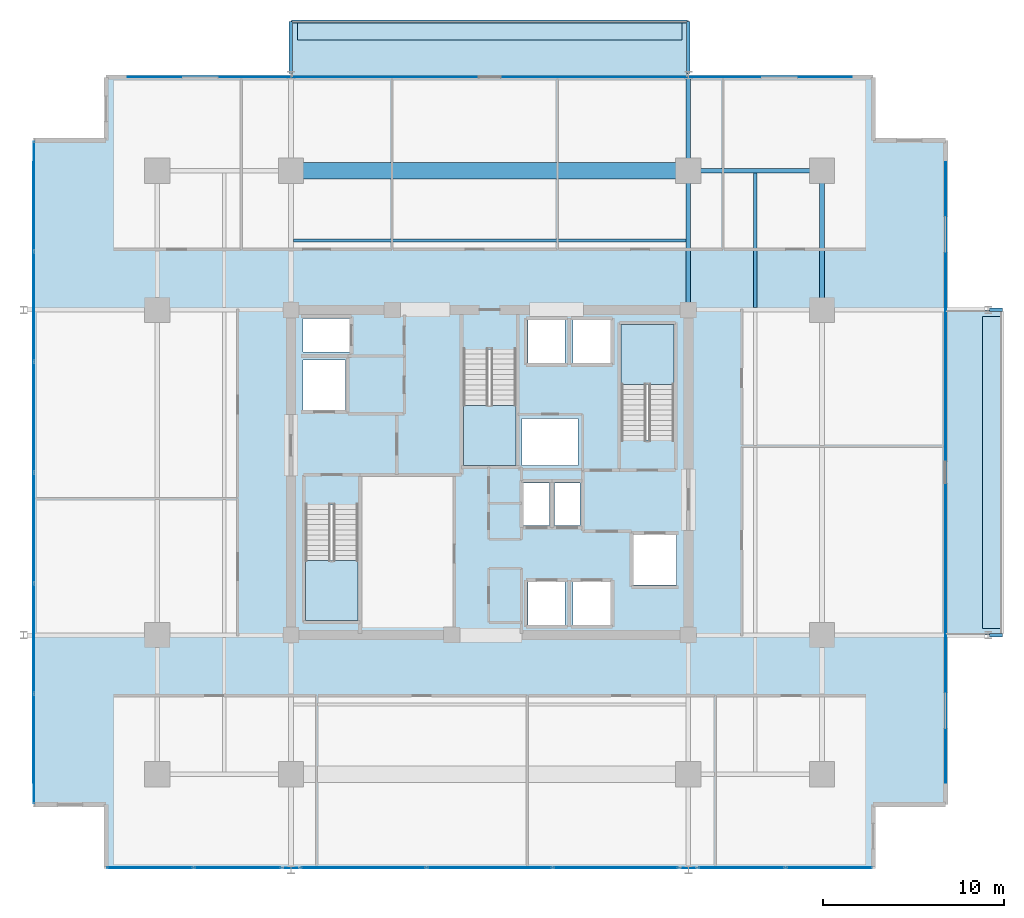
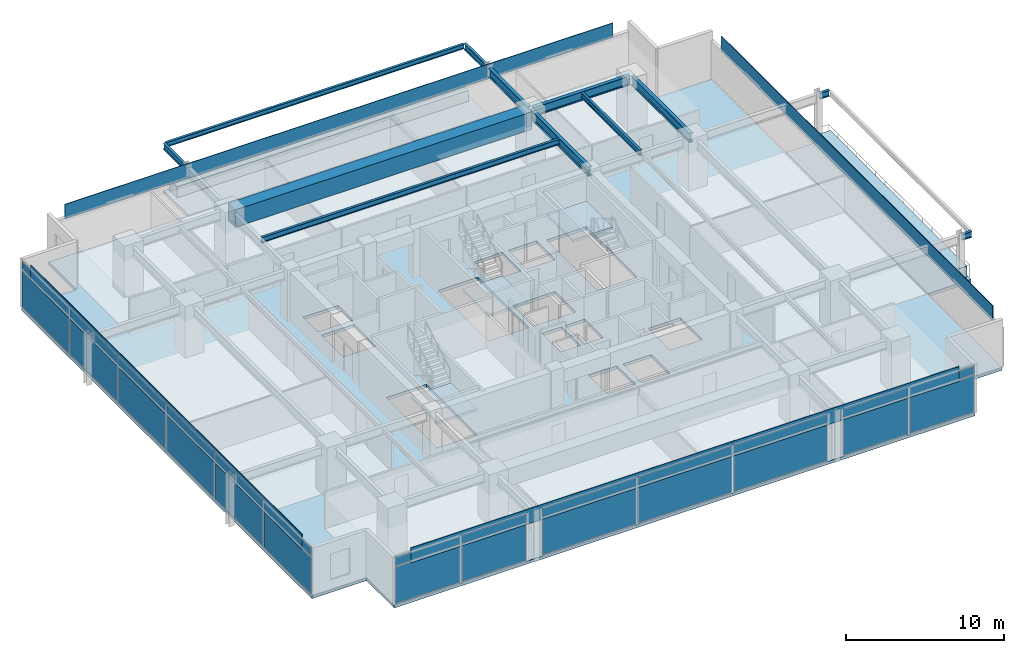
# One storey, part 12 of 20: 30 plates, 12 beams, 8 slabs, 7 elements without a shape of their own.
"""IFC4 building model written with IfcOpenShell, lengths in metres."""

from ifc_helpers import new_model, si_unit, direction, frame, origin, origin_2d, place, context, subcontext, project, spatial, polyline, rectangle, i_section, outline, extrude, material, layer, layer_set, material_profile, profile_set, type_object, element, aggregate, save


model = new_model("IFC4")

# Units and contexts
model_context = context("Model", 3, precision=1e-05, world=origin(), true_north=direction((0.0, 1.0)))
body_context = subcontext(model_context, "Body", "Model", "MODEL_VIEW")
ifc_project = project(units=[si_unit("LENGTHUNIT", "METRE"), si_unit("AREAUNIT", "SQUARE_METRE"), si_unit("VOLUMEUNIT", "CUBIC_METRE"), si_unit("PLANEANGLEUNIT", "RADIAN"), si_unit("MASSUNIT", "GRAM", prefix="KILO")], contexts=[model_context])

# Site, building, storey
site_placement = place(None, origin())
site = spatial("IfcSite", under=ifc_project, at=site_placement, CompositionType="ELEMENT")
building_placement = place(site_placement, origin())
building = spatial("IfcBuilding", under=site, at=building_placement, Name="Kovane Verandah Tower", CompositionType="ELEMENT")
storey_placement = place(building_placement, frame((0.0, 0.0, 213.199951171875)))
storey = spatial("IfcBuildingStorey", under=building, at=storey_placement, Name="L49", CompositionType="ELEMENT", Elevation=213.199951171875)

# Beams
ifc_material_1 = material(Name="Concrete C80/95", Category="concrete")
ifc_material_profile_1 = material_profile(ifc_material_1, rectangle(XDim=0.89990234375, YDim=1.35009765625, at=origin_2d()), Name="RCB900x1350")
ifc_profile_set_1 = profile_set([ifc_material_profile_1], Name="Concrete C80/95")
beam_type_1 = type_object("IfcBeamType", Name="BM-TR-900x1350", PredefinedType="BEAM", material=ifc_profile_set_1)
beam_1_placement = place(storey_placement, frame((29.179931640625, 44.199951171875, 3.10009765625), z_axis=(1.0, 0.0, 0.0), x_axis=(0.0, 1.0, 0.0)))
element("IfcBeam", 1, at=beam_1_placement, inside=storey, type_object=beam_type_1, Name="L49 Primary Tower Girder G-RN2", PredefinedType="BEAM", context=body_context, shape_type="SweptSolid", body=[
    extrude(rectangle(XDim=0.89990234375, YDim=1.35009765625, at=origin_2d()), origin(), (0.0, 0.0, 1.0), 21.64013671875),
])
ifc_material_2 = material(Name="Steel S355", Category="steel")
ifc_material_profile_2 = material_profile(ifc_material_2, i_section(OverallWidth=0.255859375, OverallDepth=0.69287109375, WebThickness=0.014404296875, FlangeThickness=0.023681640625, FilletRadius=0.01513671875, at=origin_2d()), Name="UB686x254x170")
ifc_profile_set_2 = profile_set([ifc_material_profile_2], Name="Steel S355")
beam_type_2 = type_object("IfcBeamType", Name="BM-UB686x170", PredefinedType="BEAM", material=ifc_profile_set_2)
beam_2_placement = place(storey_placement, frame((51.179931640625, 44.199951171875, 3.428466796875), z_axis=(1.0, 0.0, 0.0), x_axis=(0.0, 1.0, 0.0)))
element("IfcBeam", 2, at=beam_2_placement, inside=storey, type_object=beam_type_2, Name="L49 Primary Tower Girder G-RN3", PredefinedType="BEAM", context=body_context, shape_type="SweptSolid", body=[
    extrude(i_section(OverallWidth=0.255859375, OverallDepth=0.69287109375, WebThickness=0.014404296875, FlangeThickness=0.023681640625, FilletRadius=0.01513671875, at=origin_2d()), origin(), (0.0, 0.0, 1.0), 7.0400390625),
])
for number, where, z_axis, x_axis, name in (
    (3, (58.39990234375, 36.679931640625, 3.428466796875), (0.0, 1.0, 0.0), (-1.0, 0.0, 0.0), "L49 Primary Tower Girder G-RE3"),
    (4, (51.0, 36.679931640625, 3.428466796875), (0.0, 1.0, 0.0), (-1.0, 0.0, 0.0), "L49 Primary Tower Girder G-N2"),
):
    element("IfcBeam", number, at=place(storey_placement, frame(where, z_axis=z_axis, x_axis=x_axis)), inside=storey, type_object=beam_type_2, Name=name, PredefinedType="BEAM", context=body_context, shape_type="SweptSolid", body=[
        extrude(i_section(OverallWidth=0.255859375, OverallDepth=0.69287109375, WebThickness=0.014404296875, FlangeThickness=0.023681640625, FilletRadius=0.01513671875, at=origin_2d()), origin(), (0.0, 0.0, 1.0), 7.340087890625),
    ])
beam_3_placement = place(storey_placement, frame((51.0, 44.3798828125, 3.41357421875), z_axis=(0.0, 1.0, 0.0), x_axis=(-1.0, 0.0, 0.0)))
element("IfcBeam", 5, at=beam_3_placement, inside=storey, type_object=beam_type_2, Name="L49 Primary Tower Girder G-VN2", PredefinedType="BEAM", context=body_context, shape_type="SweptSolid", body=[
    extrude(i_section(OverallWidth=0.255859375, OverallDepth=0.69287109375, WebThickness=0.014404296875, FlangeThickness=0.023681640625, FilletRadius=0.01513671875, at=origin_2d()), origin(), (0.0, 0.0, 1.0), 4.940185546875),
])
ifc_material_profile_3 = material_profile(ifc_material_2, i_section(OverallWidth=0.179443359375, OverallDepth=0.412841796875, WebThickness=0.009521484375, FlangeThickness=0.01611328125, FilletRadius=0.01025390625, at=origin_2d()), Name="UB406x178x74")
ifc_profile_set_3 = profile_set([ifc_material_profile_3], Name="Steel S355")
beam_type_3 = type_object("IfcBeamType", Name="JST-UB406x74", PredefinedType="JOIST", material=ifc_profile_set_3)
beam_4_placement = place(storey_placement, frame((29.1259765625, 40.35009765625, 3.568603515625), z_axis=(1.0, 0.0, 0.0), x_axis=(0.0, 1.0, 0.0)))
element("IfcBeam", 6, at=beam_4_placement, inside=storey, type_object=beam_type_3, Name="L49 Secondary Composite Joist J-N1", PredefinedType="JOIST", context=body_context, shape_type="SweptSolid", body=[
    extrude(i_section(OverallWidth=0.179443359375, OverallDepth=0.412841796875, WebThickness=0.009521484375, FlangeThickness=0.01611328125, FilletRadius=0.01025390625, at=origin_2d()), origin(), (0.0, 0.0, 1.0), 21.748046875),
])
beam_5_placement = place(storey_placement, frame((54.699951171875, 36.6259765625, 3.568603515625), z_axis=(0.0, 1.0, 0.0), x_axis=(-1.0, 0.0, 0.0)))
element("IfcBeam", 7, at=beam_5_placement, inside=storey, type_object=beam_type_3, Name="L49 Secondary Composite Joist J-NE1", PredefinedType="JOIST", context=body_context, shape_type="SweptSolid", body=[
    extrude(i_section(OverallWidth=0.179443359375, OverallDepth=0.412841796875, WebThickness=0.009521484375, FlangeThickness=0.01611328125, FilletRadius=0.01025390625, at=origin_2d()), origin(), (0.0, 0.0, 1.0), 7.4482421875),
])
ifc_material_profile_4 = material_profile(ifc_material_2, i_section(OverallWidth=0.19287109375, OverallDepth=0.46728515625, WebThickness=0.011474609375, FlangeThickness=0.01953125, FilletRadius=0.01025390625, at=origin_2d()), Name="UB457x191x98")
ifc_profile_set_4 = profile_set([ifc_material_profile_4], Name="Steel S355")
beam_type_4 = type_object("IfcBeamType", Name="JST-UB457x98", PredefinedType="JOIST", material=ifc_profile_set_4)
for number, where, z_axis, x_axis, name in (
    (8, (29.0, 49.580078125, 3.5263671875), (0.0, 1.0, 0.0), (-1.0, 0.0, 0.0), "L49 North Planter Girder 1"),
    (9, (51.0, 49.580078125, 3.5263671875), (0.0, 1.0, 0.0), (-1.0, 0.0, 0.0), "L49 North Planter Girder 2"),
):
    element("IfcBeam", number, at=place(storey_placement, frame(where, z_axis=z_axis, x_axis=x_axis)), inside=storey, type_object=beam_type_4, Name=name, PredefinedType="JOIST", context=body_context, shape_type="SweptSolid", body=[
        extrude(i_section(OverallWidth=0.19287109375, OverallDepth=0.46728515625, WebThickness=0.011474609375, FlangeThickness=0.01953125, FilletRadius=0.01025390625, at=origin_2d()), origin(), (0.0, 0.0, 1.0), 2.88427734375),
    ])
for number, where, z_axis, x_axis, name in (
    (10, (67.679931640625, 18.5, 3.5263671875), (1.0, 0.0, 0.0), (0.0, 1.0, 0.0), "L49 East Planter Girder 1"),
    (11, (67.679931640625, 36.5, 3.5263671875), (1.0, 0.0, 0.0), (0.0, 1.0, 0.0), "L49 East Planter Girder 2"),
):
    element("IfcBeam", number, at=place(storey_placement, frame(where, z_axis=z_axis, x_axis=x_axis)), inside=storey, type_object=beam_type_4, Name=name, PredefinedType="JOIST", context=body_context, shape_type="SweptSolid", body=[
        extrude(i_section(OverallWidth=0.19287109375, OverallDepth=0.46728515625, WebThickness=0.011474609375, FlangeThickness=0.01953125, FilletRadius=0.01025390625, at=origin_2d()), origin(), (0.0, 0.0, 1.0), 0.70751953125),
    ])
ifc_material_profile_5 = material_profile(ifc_material_2, i_section(OverallWidth=0.173095703125, OverallDepth=0.36328125, WebThickness=0.009033203125, FlangeThickness=0.015625, FilletRadius=0.01025390625, at=origin_2d()), Name="UB356x171x67")
ifc_profile_set_5 = profile_set([ifc_material_profile_5], Name="Steel S355")
beam_type_5 = type_object("IfcBeamType", Name="SPD-UB356x67", PredefinedType="USERDEFINED", material=ifc_profile_set_5)
beam_6_placement = place(storey_placement, frame((29.094482421875, 52.46435546875, 3.578369140625), z_axis=(1.0, 0.0, 0.0), x_axis=(0.0, 1.0, 0.0)))
element("IfcBeam", 12, at=beam_6_placement, inside=storey, type_object=beam_type_5, Name="L49 North Planter Edge Spandrel", ObjectType="SPANDREL", PredefinedType="USERDEFINED", context=body_context, shape_type="SweptSolid", body=[
    extrude(i_section(OverallWidth=0.173095703125, OverallDepth=0.36328125, WebThickness=0.009033203125, FlangeThickness=0.015625, FilletRadius=0.01025390625, at=origin_2d()), origin(), (0.0, 0.0, 1.0), 21.81103515625),
])

# Curtain wall, plates
ifc_material_3 = material(Name="Champagne Anodised Aluminium Frame with Low-E Clear Laminated Glass", Category="aluminium")
curtain_wall_type = type_object("IfcCurtainWallType", Name="CW-SYS-03-MID", PredefinedType="NOTDEFINED", material=ifc_material_3)
curtain_wall_1_placement = place(storey_placement, origin())
curtain_wall_1 = element("IfcCurtainWall", 13, at=curtain_wall_1_placement, inside=storey, type_object=curtain_wall_type, Name="L49 S Unitised Curtain Wall-1", PredefinedType="NOTDEFINED")
ifc_material_4 = material(Name="Pale Champagne Anodised Aluminium Insulated Spandrel", Category="aluminium")
ifc_layer_1 = layer(ifc_material_4, 0.0400390625)
ifc_layer_set_1 = layer_set([ifc_layer_1], Name="Pale Champagne Anodised Aluminium Insulated Spandrel")
plate_type_1 = type_object("IfcPlateType", Name="PL-CW-SPD-40", PredefinedType="SHEET", material=ifc_layer_set_1)
plate_1_placement = place(storey_placement, frame((21.1962890625, 5.619384765625, 3.044921875), z_axis=(0.0, 0.0, 1.0), x_axis=(1.0, 0.0, 0.0)))
plate_1 = element("IfcPlate", 14, at=plate_1_placement, type_object=plate_type_1, Name="L49 S Unitised Curtain Wall-1 Spandrel Panel 1", PredefinedType="SHEET", context=body_context, shape_type="SweptSolid", body=[
    extrude(rectangle(XDim=4.7158203125, YDim=0.0400390625, at=origin_2d()), origin(), (0.0, 0.0, 1.0), 0.639892578125),
])
plate_2_placement = place(storey_placement, frame((26.052001953125, 5.619384765625, 3.044921875), z_axis=(0.0, 0.0, 1.0), x_axis=(1.0, 0.0, 0.0)))
plate_2 = element("IfcPlate", 15, at=plate_2_placement, type_object=plate_type_1, Name="L49 S Unitised Curtain Wall-1 Spandrel Panel 2", PredefinedType="SHEET", context=body_context, shape_type="SweptSolid", body=[
    extrude(rectangle(XDim=4.7158203125, YDim=0.0400390625, at=origin_2d()), origin(), (0.0, 0.0, 1.0), 0.639892578125),
])

curtain_wall_2_placement = place(storey_placement, origin())
curtain_wall_2 = element("IfcCurtainWall", 16, at=curtain_wall_2_placement, inside=storey, type_object=curtain_wall_type, Name="L49 S Unitised Curtain Wall-2", PredefinedType="NOTDEFINED")
plate_3_placement = place(storey_placement, frame((33.01318359375, 5.619384765625, 3.044921875), z_axis=(0.0, 0.0, 1.0), x_axis=(1.0, 0.0, 0.0)))
plate_3 = element("IfcPlate", 17, at=plate_3_placement, type_object=plate_type_1, Name="L49 S Unitised Curtain Wall-2 Spandrel Panel 1", PredefinedType="SHEET", context=body_context, shape_type="SweptSolid", body=[
    extrude(rectangle(XDim=6.8466796875, YDim=0.0400390625, at=origin_2d()), origin(), (0.0, 0.0, 1.0), 0.639892578125),
])
plate_4_placement = place(storey_placement, frame((40.0, 5.619384765625, 3.044921875), z_axis=(0.0, 0.0, 1.0), x_axis=(1.0, 0.0, 0.0)))
plate_4 = element("IfcPlate", 18, at=plate_4_placement, type_object=plate_type_1, Name="L49 S Unitised Curtain Wall-2 Spandrel Panel 2", PredefinedType="SHEET", context=body_context, shape_type="SweptSolid", body=[
    extrude(rectangle(XDim=6.8466796875, YDim=0.0400390625, at=origin_2d()), origin(), (0.0, 0.0, 1.0), 0.639892578125),
])
plate_5_placement = place(storey_placement, frame((46.98681640625, 5.619384765625, 3.044921875), z_axis=(0.0, 0.0, 1.0), x_axis=(1.0, 0.0, 0.0)))
plate_5 = element("IfcPlate", 19, at=plate_5_placement, type_object=plate_type_1, Name="L49 S Unitised Curtain Wall-2 Spandrel Panel 3", PredefinedType="SHEET", context=body_context, shape_type="SweptSolid", body=[
    extrude(rectangle(XDim=6.8466796875, YDim=0.0400390625, at=origin_2d()), origin(), (0.0, 0.0, 1.0), 0.639892578125),
])

curtain_wall_3_placement = place(storey_placement, origin())
curtain_wall_3 = element("IfcCurtainWall", 20, at=curtain_wall_3_placement, inside=storey, type_object=curtain_wall_type, Name="L49 S Unitised Curtain Wall-3", PredefinedType="NOTDEFINED")
plate_6_placement = place(storey_placement, frame((53.947998046875, 5.619384765625, 3.044921875), z_axis=(0.0, 0.0, 1.0), x_axis=(1.0, 0.0, 0.0)))
plate_6 = element("IfcPlate", 21, at=plate_6_placement, type_object=plate_type_1, Name="L49 S Unitised Curtain Wall-3 Spandrel Panel 1", PredefinedType="SHEET", context=body_context, shape_type="SweptSolid", body=[
    extrude(rectangle(XDim=4.7158203125, YDim=0.0400390625, at=origin_2d()), origin(), (0.0, 0.0, 1.0), 0.639892578125),
])
plate_7_placement = place(storey_placement, frame((58.8037109375, 5.619384765625, 3.044921875), z_axis=(0.0, 0.0, 1.0), x_axis=(1.0, 0.0, 0.0)))
plate_7 = element("IfcPlate", 22, at=plate_7_placement, type_object=plate_type_1, Name="L49 S Unitised Curtain Wall-3 Spandrel Panel 2", PredefinedType="SHEET", context=body_context, shape_type="SweptSolid", body=[
    extrude(rectangle(XDim=4.7158203125, YDim=0.0400390625, at=origin_2d()), origin(), (0.0, 0.0, 1.0), 0.639892578125),
])

curtain_wall_4_placement = place(storey_placement, origin())
curtain_wall_4 = element("IfcCurtainWall", 23, at=curtain_wall_4_placement, inside=storey, type_object=curtain_wall_type, Name="L49 W Unitised Curtain Wall", PredefinedType="NOTDEFINED")
plate_8_placement = place(storey_placement, frame((14.768310546875, 42.817138671875, 3.044921875), z_axis=(0.0, 0.0, 1.0), x_axis=(0.0, -1.0, 0.0)))
plate_8 = element("IfcPlate", 24, at=plate_8_placement, type_object=plate_type_1, Name="L49 W Unitised Curtain Wall Spandrel Panel 1", PredefinedType="SHEET", context=body_context, shape_type="SweptSolid", body=[
    extrude(rectangle(XDim=5.98681640625, YDim=0.0400390625, at=origin_2d()), origin(), (0.0, 0.0, 1.0), 0.639892578125),
])
plate_9_placement = place(storey_placement, frame((14.768310546875, 36.690185546875, 3.044921875), z_axis=(0.0, 0.0, 1.0), x_axis=(0.0, -1.0, 0.0)))
plate_9 = element("IfcPlate", 25, at=plate_9_placement, type_object=plate_type_1, Name="L49 W Unitised Curtain Wall Spandrel Panel 2", PredefinedType="SHEET", context=body_context, shape_type="SweptSolid", body=[
    extrude(rectangle(XDim=5.98681640625, YDim=0.0400390625, at=origin_2d()), origin(), (0.0, 0.0, 1.0), 0.639892578125),
])
plate_10_placement = place(storey_placement, frame((14.768310546875, 30.5634765625, 3.044921875), z_axis=(0.0, 0.0, 1.0), x_axis=(0.0, -1.0, 0.0)))
plate_10 = element("IfcPlate", 26, at=plate_10_placement, type_object=plate_type_1, Name="L49 W Unitised Curtain Wall Spandrel Panel 3", PredefinedType="SHEET", context=body_context, shape_type="SweptSolid", body=[
    extrude(rectangle(XDim=5.98681640625, YDim=0.0400390625, at=origin_2d()), origin(), (0.0, 0.0, 1.0), 0.639892578125),
])
plate_11_placement = place(storey_placement, frame((14.768310546875, 24.4365234375, 3.044921875), z_axis=(0.0, 0.0, 1.0), x_axis=(0.0, -1.0, 0.0)))
plate_11 = element("IfcPlate", 27, at=plate_11_placement, type_object=plate_type_1, Name="L49 W Unitised Curtain Wall Spandrel Panel 4", PredefinedType="SHEET", context=body_context, shape_type="SweptSolid", body=[
    extrude(rectangle(XDim=5.98681640625, YDim=0.0400390625, at=origin_2d()), origin(), (0.0, 0.0, 1.0), 0.639892578125),
])
plate_12_placement = place(storey_placement, frame((14.768310546875, 18.309814453125, 3.044921875), z_axis=(0.0, 0.0, 1.0), x_axis=(0.0, -1.0, 0.0)))
plate_12 = element("IfcPlate", 28, at=plate_12_placement, type_object=plate_type_1, Name="L49 W Unitised Curtain Wall Spandrel Panel 5", PredefinedType="SHEET", context=body_context, shape_type="SweptSolid", body=[
    extrude(rectangle(XDim=5.98681640625, YDim=0.0400390625, at=origin_2d()), origin(), (0.0, 0.0, 1.0), 0.639892578125),
])
plate_13_placement = place(storey_placement, frame((14.768310546875, 12.182861328125, 3.044921875), z_axis=(0.0, 0.0, 1.0), x_axis=(0.0, -1.0, 0.0)))
plate_13 = element("IfcPlate", 29, at=plate_13_placement, type_object=plate_type_1, Name="L49 W Unitised Curtain Wall Spandrel Panel 6", PredefinedType="SHEET", context=body_context, shape_type="SweptSolid", body=[
    extrude(rectangle(XDim=5.98681640625, YDim=0.0400390625, at=origin_2d()), origin(), (0.0, 0.0, 1.0), 0.639892578125),
])

# Plate
ifc_material_5 = material(Name="Clear Low-E Laminated Double Glazing", Category="glass")
ifc_layer_2 = layer(ifc_material_5, 0.031982421875)
ifc_layer_set_2 = layer_set([ifc_layer_2], Name="Clear Low-E Laminated Double Glazing")
plate_type_2 = type_object("IfcPlateType", Name="PL-CW-VIS-32", PredefinedType="CURTAIN_PANEL", material=ifc_layer_set_2)
plate_14_placement = place(storey_placement, frame((21.1962890625, 5.619384765625, 0.10009765625), z_axis=(0.0, 0.0, 1.0), x_axis=(1.0, 0.0, 0.0)))
plate_14 = element("IfcPlate", 30, at=plate_14_placement, type_object=plate_type_2, Name="L49 S Unitised Curtain Wall-1 Vision Panel 1", PredefinedType="CURTAIN_PANEL", context=body_context, shape_type="SweptSolid", body=[
    extrude(rectangle(XDim=4.7158203125, YDim=0.031982421875, at=origin_2d()), origin(), (0.0, 0.0, 1.0), 2.844970703125),
])

plate_15_placement = place(storey_placement, frame((26.052001953125, 5.619384765625, 0.10009765625), z_axis=(0.0, 0.0, 1.0), x_axis=(1.0, 0.0, 0.0)))
plate_15 = element("IfcPlate", 31, at=plate_15_placement, type_object=plate_type_2, Name="L49 S Unitised Curtain Wall-1 Vision Panel 2", PredefinedType="CURTAIN_PANEL", context=body_context, shape_type="SweptSolid", body=[
    extrude(rectangle(XDim=4.7158203125, YDim=0.031982421875, at=origin_2d()), origin(), (0.0, 0.0, 1.0), 2.844970703125),
])

aggregate(curtain_wall_1, [plate_14, plate_1, plate_15, plate_2])

plate_16_placement = place(storey_placement, frame((33.01318359375, 5.619384765625, 0.10009765625), z_axis=(0.0, 0.0, 1.0), x_axis=(1.0, 0.0, 0.0)))
plate_16 = element("IfcPlate", 32, at=plate_16_placement, type_object=plate_type_2, Name="L49 S Unitised Curtain Wall-2 Vision Panel 1", PredefinedType="CURTAIN_PANEL", context=body_context, shape_type="SweptSolid", body=[
    extrude(rectangle(XDim=6.8466796875, YDim=0.031982421875, at=origin_2d()), origin(), (0.0, 0.0, 1.0), 2.844970703125),
])

plate_17_placement = place(storey_placement, frame((40.0, 5.619384765625, 0.10009765625), z_axis=(0.0, 0.0, 1.0), x_axis=(1.0, 0.0, 0.0)))
plate_17 = element("IfcPlate", 33, at=plate_17_placement, type_object=plate_type_2, Name="L49 S Unitised Curtain Wall-2 Vision Panel 2", PredefinedType="CURTAIN_PANEL", context=body_context, shape_type="SweptSolid", body=[
    extrude(rectangle(XDim=6.8466796875, YDim=0.031982421875, at=origin_2d()), origin(), (0.0, 0.0, 1.0), 2.844970703125),
])

plate_18_placement = place(storey_placement, frame((46.98681640625, 5.619384765625, 0.10009765625), z_axis=(0.0, 0.0, 1.0), x_axis=(1.0, 0.0, 0.0)))
plate_18 = element("IfcPlate", 34, at=plate_18_placement, type_object=plate_type_2, Name="L49 S Unitised Curtain Wall-2 Vision Panel 3", PredefinedType="CURTAIN_PANEL", context=body_context, shape_type="SweptSolid", body=[
    extrude(rectangle(XDim=6.8466796875, YDim=0.031982421875, at=origin_2d()), origin(), (0.0, 0.0, 1.0), 2.844970703125),
])

aggregate(curtain_wall_2, [plate_16, plate_3, plate_17, plate_4, plate_18, plate_5])

plate_19_placement = place(storey_placement, frame((53.947998046875, 5.619384765625, 0.10009765625), z_axis=(0.0, 0.0, 1.0), x_axis=(1.0, 0.0, 0.0)))
plate_19 = element("IfcPlate", 35, at=plate_19_placement, type_object=plate_type_2, Name="L49 S Unitised Curtain Wall-3 Vision Panel 1", PredefinedType="CURTAIN_PANEL", context=body_context, shape_type="SweptSolid", body=[
    extrude(rectangle(XDim=4.7158203125, YDim=0.031982421875, at=origin_2d()), origin(), (0.0, 0.0, 1.0), 2.844970703125),
])

plate_20_placement = place(storey_placement, frame((58.8037109375, 5.619384765625, 0.10009765625), z_axis=(0.0, 0.0, 1.0), x_axis=(1.0, 0.0, 0.0)))
plate_20 = element("IfcPlate", 36, at=plate_20_placement, type_object=plate_type_2, Name="L49 S Unitised Curtain Wall-3 Vision Panel 2", PredefinedType="CURTAIN_PANEL", context=body_context, shape_type="SweptSolid", body=[
    extrude(rectangle(XDim=4.7158203125, YDim=0.031982421875, at=origin_2d()), origin(), (0.0, 0.0, 1.0), 2.844970703125),
])

aggregate(curtain_wall_3, [plate_19, plate_6, plate_20, plate_7])

plate_21_placement = place(storey_placement, frame((14.768310546875, 42.817138671875, 0.10009765625), z_axis=(0.0, 0.0, 1.0), x_axis=(0.0, -1.0, 0.0)))
plate_21 = element("IfcPlate", 37, at=plate_21_placement, type_object=plate_type_2, Name="L49 W Unitised Curtain Wall Vision Panel 1", PredefinedType="CURTAIN_PANEL", context=body_context, shape_type="SweptSolid", body=[
    extrude(rectangle(XDim=5.98681640625, YDim=0.031982421875, at=origin_2d()), origin(), (0.0, 0.0, 1.0), 2.844970703125),
])

plate_22_placement = place(storey_placement, frame((14.768310546875, 36.690185546875, 0.10009765625), z_axis=(0.0, 0.0, 1.0), x_axis=(0.0, -1.0, 0.0)))
plate_22 = element("IfcPlate", 38, at=plate_22_placement, type_object=plate_type_2, Name="L49 W Unitised Curtain Wall Vision Panel 2", PredefinedType="CURTAIN_PANEL", context=body_context, shape_type="SweptSolid", body=[
    extrude(rectangle(XDim=5.98681640625, YDim=0.031982421875, at=origin_2d()), origin(), (0.0, 0.0, 1.0), 2.844970703125),
])

plate_23_placement = place(storey_placement, frame((14.768310546875, 30.5634765625, 0.10009765625), z_axis=(0.0, 0.0, 1.0), x_axis=(0.0, -1.0, 0.0)))
plate_23 = element("IfcPlate", 39, at=plate_23_placement, type_object=plate_type_2, Name="L49 W Unitised Curtain Wall Vision Panel 3", PredefinedType="CURTAIN_PANEL", context=body_context, shape_type="SweptSolid", body=[
    extrude(rectangle(XDim=5.98681640625, YDim=0.031982421875, at=origin_2d()), origin(), (0.0, 0.0, 1.0), 2.844970703125),
])

plate_24_placement = place(storey_placement, frame((14.768310546875, 24.4365234375, 0.10009765625), z_axis=(0.0, 0.0, 1.0), x_axis=(0.0, -1.0, 0.0)))
plate_24 = element("IfcPlate", 40, at=plate_24_placement, type_object=plate_type_2, Name="L49 W Unitised Curtain Wall Vision Panel 4", PredefinedType="CURTAIN_PANEL", context=body_context, shape_type="SweptSolid", body=[
    extrude(rectangle(XDim=5.98681640625, YDim=0.031982421875, at=origin_2d()), origin(), (0.0, 0.0, 1.0), 2.844970703125),
])

plate_25_placement = place(storey_placement, frame((14.768310546875, 18.309814453125, 0.10009765625), z_axis=(0.0, 0.0, 1.0), x_axis=(0.0, -1.0, 0.0)))
plate_25 = element("IfcPlate", 41, at=plate_25_placement, type_object=plate_type_2, Name="L49 W Unitised Curtain Wall Vision Panel 5", PredefinedType="CURTAIN_PANEL", context=body_context, shape_type="SweptSolid", body=[
    extrude(rectangle(XDim=5.98681640625, YDim=0.031982421875, at=origin_2d()), origin(), (0.0, 0.0, 1.0), 2.844970703125),
])

plate_26_placement = place(storey_placement, frame((14.768310546875, 12.182861328125, 0.10009765625), z_axis=(0.0, 0.0, 1.0), x_axis=(0.0, -1.0, 0.0)))
plate_26 = element("IfcPlate", 42, at=plate_26_placement, type_object=plate_type_2, Name="L49 W Unitised Curtain Wall Vision Panel 6", PredefinedType="CURTAIN_PANEL", context=body_context, shape_type="SweptSolid", body=[
    extrude(rectangle(XDim=5.98681640625, YDim=0.031982421875, at=origin_2d()), origin(), (0.0, 0.0, 1.0), 2.844970703125),
])

aggregate(curtain_wall_4, [plate_21, plate_8, plate_22, plate_9, plate_23, plate_10, plate_24, plate_11, plate_25, plate_12, plate_26, plate_13])

# Plates
ifc_material_6 = material(Name="Perforated Pale Champagne Anodised Aluminium Solar Screen", Category="aluminium")
ifc_layer_3 = layer(ifc_material_6, 0.050048828125)
ifc_layer_set_3 = layer_set([ifc_layer_3], Name="Perforated Pale Champagne Anodised Aluminium Solar Screen")
plate_type_3 = type_object("IfcPlateType", Name="PL-SCREEN-50", PredefinedType="USERDEFINED", material=ifc_layer_set_3)
plate_27_placement = place(storey_placement, frame((40.0, 5.6044921875, 2.875), z_axis=(0.0, 0.0, 1.0), x_axis=(1.0, 0.0, 0.0)))
element("IfcPlate", 43, at=plate_27_placement, inside=storey, type_object=plate_type_3, Name="L49 S Perforated Champagne-Gold Solar Screen", ObjectType="SCREEN", PredefinedType="USERDEFINED", context=body_context, shape_type="SweptSolid", body=[
    extrude(rectangle(XDim=40.06298828125, YDim=0.050048828125, at=origin_2d()), origin(), (0.0, 0.0, 1.0), 1.14990234375),
])
plate_28_placement = place(storey_placement, frame((65.24658203125, 27.5, 2.875), z_axis=(0.0, 0.0, 1.0), x_axis=(0.0, 1.0, 0.0)))
element("IfcPlate", 44, at=plate_28_placement, inside=storey, type_object=plate_type_3, Name="L49 E Perforated Champagne-Gold Solar Screen", ObjectType="SCREEN", PredefinedType="USERDEFINED", context=body_context, shape_type="SweptSolid", body=[
    extrude(rectangle(XDim=34.361083984375, YDim=0.050048828125, at=origin_2d()), origin(), (0.0, 0.0, 1.0), 1.14990234375),
])
plate_29_placement = place(storey_placement, frame((40.0, 49.3955078125, 2.875), z_axis=(0.0, 0.0, 1.0), x_axis=(-1.0, 0.0, 0.0)))
element("IfcPlate", 45, at=plate_29_placement, inside=storey, type_object=plate_type_3, Name="L49 N Perforated Champagne-Gold Solar Screen", ObjectType="SCREEN", PredefinedType="USERDEFINED", context=body_context, shape_type="SweptSolid", body=[
    extrude(rectangle(XDim=40.06298828125, YDim=0.050048828125, at=origin_2d()), origin(), (0.0, 0.0, 1.0), 1.14990234375),
])
plate_30_placement = place(storey_placement, frame((14.75341796875, 27.5, 2.875), z_axis=(0.0, 0.0, 1.0), x_axis=(0.0, -1.0, 0.0)))
element("IfcPlate", 46, at=plate_30_placement, inside=storey, type_object=plate_type_3, Name="L49 W Perforated Champagne-Gold Solar Screen", ObjectType="SCREEN", PredefinedType="USERDEFINED", context=body_context, shape_type="SweptSolid", body=[
    extrude(rectangle(XDim=34.361083984375, YDim=0.050048828125, at=origin_2d()), origin(), (0.0, 0.0, 1.0), 1.14990234375),
])

# Slabs
ifc_material_7 = material(Name="Concrete C45/55", Category="concrete")
ifc_layer_4 = layer(ifc_material_7, 0.239990234375)
ifc_layer_set_4 = layer_set([ifc_layer_4], Name="Concrete C45/55")
slab_type_1 = type_object("IfcSlabType", Name="SL-BALC-240", PredefinedType="FLOOR", material=ifc_layer_set_4)
slab_1_placement = place(storey_placement, frame((0.0, 0.0, -0.239990234375)))
element("IfcSlab", 47, at=slab_1_placement, inside=storey, type_object=slab_type_1, Name="L49 N Planted Verandah Balcony Slab", PredefinedType="FLOOR", context=body_context, shape_type="SweptSolid", body=[
    extrude(outline(polyline([(29.0, 49.380615234375), (51.0, 49.380615234375), (51.0, 52.530517578125), (29.0, 52.530517578125), (29.0, 49.380615234375)])), origin(), (0.0, 0.0, 1.0), 0.239990234375),
])
slab_2_placement = place(storey_placement, frame((0.0, 0.0, -0.239990234375)))
element("IfcSlab", 48, at=slab_2_placement, inside=storey, type_object=slab_type_1, Name="L49 E Planted Verandah Balcony Slab", PredefinedType="FLOOR", context=body_context, shape_type="SweptSolid", body=[
    extrude(outline(polyline([(65.231689453125, 18.5), (68.381591796875, 18.5), (68.381591796875, 36.5), (65.231689453125, 36.5), (65.231689453125, 18.5)])), origin(), (0.0, 0.0, 1.0), 0.239990234375),
])

# Stair, slab
stair_type = type_object("IfcStairType", Name="ST-CORE-1380", PredefinedType="HALF_TURN_STAIR", material=ifc_material_7)
stair_1_placement = place(storey_placement, origin())
stair_1 = element("IfcStair", 49, at=stair_1_placement, inside=storey, type_object=stair_type, Name="L49 Exit Stair ST-01", PredefinedType="HALF_TURN_STAIR")
ifc_layer_5 = layer(ifc_material_7, 0.199951171875)
ifc_layer_set_5 = layer_set([ifc_layer_5], Name="Concrete C45/55")
slab_type_2 = type_object("IfcSlabType", Name="SL-LAND-200", PredefinedType="LANDING", material=ifc_layer_set_5)
slab_3_placement = place(storey_placement, frame((0.0, 0.0, 1.800048828125)))
slab_3 = element("IfcSlab", 50, at=slab_3_placement, type_object=slab_type_2, Name="ST-01 landing 1", PredefinedType="LANDING", context=body_context, shape_type="SweptSolid", body=[
    extrude(outline(polyline([(29.800048828125, 22.614990234375), (29.800048828125, 19.300048828125), (32.719970703125, 19.300048828125), (32.719970703125, 22.614990234375), (29.800048828125, 22.614990234375)])), origin(), (0.0, 0.0, 1.0), 0.199951171875),
])
aggregate(stair_1, [slab_3])

stair_2_placement = place(storey_placement, origin())
stair_2 = element("IfcStair", 51, at=stair_2_placement, inside=storey, type_object=stair_type, Name="L49 Exit Stair ST-02", PredefinedType="HALF_TURN_STAIR")
slab_4_placement = place(storey_placement, frame((0.0, 0.0, 1.800048828125)))
slab_4 = element("IfcSlab", 52, at=slab_4_placement, type_object=slab_type_2, Name="ST-02 landing 1", PredefinedType="LANDING", context=body_context, shape_type="SweptSolid", body=[
    extrude(outline(polyline([(50.199951171875, 32.385009765625), (50.199951171875, 35.699951171875), (47.280029296875, 35.699951171875), (47.280029296875, 32.385009765625), (50.199951171875, 32.385009765625)])), origin(), (0.0, 0.0, 1.0), 0.199951171875),
])
aggregate(stair_2, [slab_4])

stair_3_placement = place(storey_placement, origin())
stair_3 = element("IfcStair", 53, at=stair_3_placement, inside=storey, type_object=stair_type, Name="L49 Exit Stair ST-03", PredefinedType="HALF_TURN_STAIR")
slab_5_placement = place(storey_placement, frame((0.0, 0.0, 1.800048828125)))
slab_5 = element("IfcSlab", 54, at=slab_5_placement, type_object=slab_type_2, Name="ST-03 landing 1", PredefinedType="LANDING", context=body_context, shape_type="SweptSolid", body=[
    extrude(outline(polyline([(38.5400390625, 31.215087890625), (38.5400390625, 27.89990234375), (41.4599609375, 27.89990234375), (41.4599609375, 31.215087890625), (38.5400390625, 31.215087890625)])), origin(), (0.0, 0.0, 1.0), 0.199951171875),
])
aggregate(stair_3, [slab_5])

# Slabs
ifc_layer_6 = layer(ifc_material_7, 0.22509765625)
ifc_layer_set_6 = layer_set([ifc_layer_6], Name="Concrete C45/55")
slab_type_3 = type_object("IfcSlabType", Name="SL-MID-225", PredefinedType="FLOOR", material=ifc_layer_set_6)
slab_6_placement = place(storey_placement, frame((0.0, 0.0, -0.224853515625)))
element("IfcSlab", 55, at=slab_6_placement, inside=storey, type_object=slab_type_3, Name="L49 Structural Floor Slab", PredefinedType="FLOOR", context=body_context, shape_type="SweptSolid", body=[
    extrude(outline(polyline([(18.768310546875, 5.619384765625), (61.231689453125, 5.619384765625), (61.231689453125, 9.119384765625), (65.231689453125, 9.119384765625), (65.231689453125, 45.880615234375), (61.231689453125, 45.880615234375), (61.231689453125, 49.380615234375), (18.768310546875, 49.380615234375), (18.768310546875, 45.880615234375), (14.768310546875, 45.880615234375), (14.768310546875, 9.119384765625), (18.768310546875, 9.119384765625), (18.768310546875, 5.619384765625)]), holes=[polyline([(29.800048828125, 19.300048828125), (32.719970703125, 19.300048828125), (32.719970703125, 25.705078125), (29.800048828125, 25.705078125), (29.800048828125, 19.300048828125)]), polyline([(47.280029296875, 29.294921875), (50.199951171875, 29.294921875), (50.199951171875, 35.699951171875), (47.280029296875, 35.699951171875), (47.280029296875, 29.294921875)]), polyline([(38.5400390625, 27.89990234375), (41.4599609375, 27.89990234375), (41.4599609375, 34.304931640625), (38.5400390625, 34.304931640625), (38.5400390625, 27.89990234375)]), polyline([(29.669921875, 30.969970703125), (32.030029296875, 30.969970703125), (32.030029296875, 33.72998046875), (29.669921875, 33.72998046875), (29.669921875, 30.969970703125)]), polyline([(47.969970703125, 21.27001953125), (50.330078125, 21.27001953125), (50.330078125, 24.030029296875), (47.969970703125, 24.030029296875), (47.969970703125, 21.27001953125)]), polyline([(29.669921875, 34.169921875), (32.22998046875, 34.169921875), (32.22998046875, 36.030029296875), (29.669921875, 36.030029296875), (29.669921875, 34.169921875)]), polyline([(42.1201171875, 19.070068359375), (44.179931640625, 19.070068359375), (44.179931640625, 21.429931640625), (42.1201171875, 21.429931640625), (42.1201171875, 19.070068359375)]), polyline([(44.6201171875, 19.070068359375), (46.679931640625, 19.070068359375), (46.679931640625, 21.429931640625), (44.6201171875, 21.429931640625), (44.6201171875, 19.070068359375)]), polyline([(41.8798828125, 24.570068359375), (43.320068359375, 24.570068359375), (43.320068359375, 26.929931640625), (41.8798828125, 26.929931640625), (41.8798828125, 24.570068359375)]), polyline([(43.580078125, 24.570068359375), (45.0, 24.570068359375), (45.0, 26.929931640625), (43.580078125, 26.929931640625), (43.580078125, 24.570068359375)]), polyline([(42.1201171875, 33.570068359375), (44.179931640625, 33.570068359375), (44.179931640625, 35.929931640625), (42.1201171875, 35.929931640625), (42.1201171875, 33.570068359375)]), polyline([(44.6201171875, 33.570068359375), (46.679931640625, 33.570068359375), (46.679931640625, 35.929931640625), (44.6201171875, 35.929931640625), (44.6201171875, 33.570068359375)]), polyline([(41.800048828125, 27.89990234375), (44.89990234375, 27.89990234375), (44.89990234375, 30.5), (41.800048828125, 30.5), (41.800048828125, 27.89990234375)])]), origin(), (0.0, 0.0, 1.0), 0.224853515625),
])
ifc_material_8 = material(Name="Architectural Precast Concrete C45/55 Planter Trough", Category="concrete")
ifc_layer_7 = layer(ifc_material_8, 0.219970703125)
ifc_layer_set_7 = layer_set([ifc_layer_7], Name="Architectural Precast Concrete C45/55 Planter Trough")
slab_type_4 = type_object("IfcSlabType", Name="SL-PLANTER-220", PredefinedType="USERDEFINED", material=ifc_layer_set_7)
slab_7_placement = place(storey_placement, origin())
element("IfcSlab", 56, at=slab_7_placement, inside=storey, type_object=slab_type_4, Name="L49 N Structural Tree Planter", ObjectType="PLANTER", PredefinedType="USERDEFINED", context=body_context, shape_type="SweptSolid", body=[
    extrude(outline(polyline([(29.35009765625, 51.4306640625), (50.64990234375, 51.4306640625), (50.64990234375, 52.4306640625), (29.35009765625, 52.4306640625), (29.35009765625, 51.4306640625)])), origin(), (0.0, 0.0, 1.0), 0.85009765625),
])
slab_8_placement = place(storey_placement, origin())
element("IfcSlab", 57, at=slab_8_placement, inside=storey, type_object=slab_type_4, Name="L49 E Structural Tree Planter", ObjectType="PLANTER", PredefinedType="USERDEFINED", context=body_context, shape_type="SweptSolid", body=[
    extrude(outline(polyline([(67.28173828125, 18.85009765625), (68.28173828125, 18.85009765625), (68.28173828125, 36.14990234375), (67.28173828125, 36.14990234375), (67.28173828125, 18.85009765625)])), origin(), (0.0, 0.0, 1.0), 0.85009765625),
])

save(model, "model.ifc")
